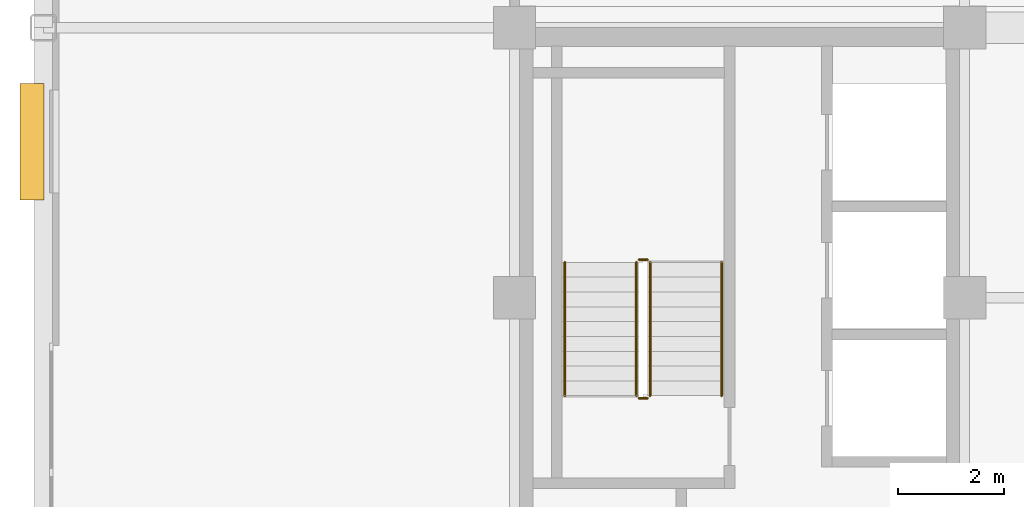
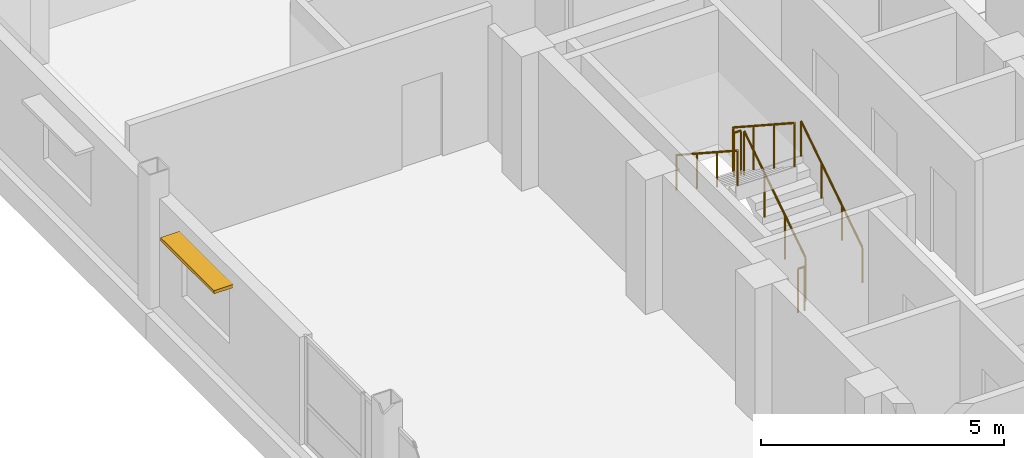
# One storey, part 13 of 16: 6 railings, 1 shading device.
"""IFC4 building model written with IfcOpenShell, lengths in metres."""

from ifc_helpers import new_model, si_unit, direction, frame, origin, origin_2d, place, context, subcontext, project, spatial, rectangle, circle, extrude, source, transform, mapped, material, type_object, type_shapes, element, save


model = new_model("IFC4")

# Units and contexts
model_context = context("Model", 3, precision=1e-05, world=origin(), true_north=direction((0.0, 1.0)))
body_context = subcontext(model_context, "Body", "Model", "MODEL_VIEW")
ifc_project = project(units=[si_unit("LENGTHUNIT", "METRE"), si_unit("AREAUNIT", "SQUARE_METRE"), si_unit("VOLUMEUNIT", "CUBIC_METRE"), si_unit("PLANEANGLEUNIT", "RADIAN"), si_unit("MASSUNIT", "GRAM", prefix="KILO")], contexts=[model_context])

# Site, building, storey
site_placement = place(None, origin())
site = spatial("IfcSite", under=ifc_project, at=site_placement, CompositionType="ELEMENT")
building_placement = place(site_placement, origin())
building = spatial("IfcBuilding", under=site, at=building_placement, Name="Nuvemarco Arch Tower", CompositionType="ELEMENT")
storey_placement = place(building_placement, frame((0.0, 0.0, 227.39990234375)))
storey = spatial("IfcBuildingStorey", under=building, at=storey_placement, Name="L60", CompositionType="ELEMENT", Elevation=227.39990234375)

# Railings
ifc_material_1 = material(Name="Brushed stainless steel handrail", Category="steel")
railing_type_1 = type_object("IfcRailingType", Name="RL-HANDRAIL-900", PredefinedType="HANDRAIL", material=ifc_material_1)
railing_1_placement = place(storey_placement, frame((-13.590087890625, 2.64990234375, 0.1826171875)))
element("IfcRailing", 1, at=railing_1_placement, inside=storey, type_object=railing_type_1, Name="L60 ST-1 stair handrail 1", PredefinedType="HANDRAIL", context=body_context, shape_type="SweptSolid", body=[
    extrude(circle(Radius=0.02392578125, at=origin_2d()), frame((0.0, 0.0, 0.8759765625), z_axis=(0.0, 0.837749427056, 0.546054848405), x_axis=(-1.0, 0.0, 0.0)), (0.0, 0.0, 1.0), 3.008056640625),
    extrude(circle(Radius=0.02099609375, at=origin_2d()), origin(), (0.0, 0.0, 1.0), 0.851806640625),
    extrude(circle(Radius=0.02099609375, at=origin_2d()), frame((0.0, 0.840087890625, 0.547607421875)), (0.0, 0.0, 1.0), 0.851806640625),
    extrude(circle(Radius=0.02099609375, at=origin_2d()), frame((0.0, 1.679931640625, 1.094970703125)), (0.0, 0.0, 1.0), 0.851806640625),
    extrude(circle(Radius=0.02099609375, at=origin_2d()), frame((0.0, 2.52001953125, 1.642578125)), (0.0, 0.0, 1.0), 0.851806640625),
])
railing_2_placement = place(storey_placement, frame((-16.550048828125, 5.169921875, 2.007568359375)))
element("IfcRailing", 2, at=railing_2_placement, inside=storey, type_object=railing_type_1, Name="L60 ST-1 stair handrail 2", PredefinedType="HANDRAIL", context=body_context, shape_type="SweptSolid", body=[
    extrude(circle(Radius=0.02392578125, at=origin_2d()), frame((0.0, 0.0, 0.8759765625), z_axis=(0.0, -0.837749427056, 0.546054848405), x_axis=(1.0, 0.0, 0.0)), (0.0, 0.0, 1.0), 3.008056640625),
    extrude(circle(Radius=0.02099609375, at=origin_2d()), origin(), (0.0, 0.0, 1.0), 0.851806640625),
    extrude(circle(Radius=0.02099609375, at=origin_2d()), frame((0.0, -0.840087890625, 0.547607421875)), (0.0, 0.0, 1.0), 0.851806640625),
    extrude(circle(Radius=0.02099609375, at=origin_2d()), frame((0.0, -1.679931640625, 1.094970703125)), (0.0, 0.0, 1.0), 0.851806640625),
    extrude(circle(Radius=0.02099609375, at=origin_2d()), frame((0.0, -2.52001953125, 1.642578125)), (0.0, 0.0, 1.0), 0.851806640625),
])
ifc_material_2 = material(Name="Painted balustrade steel S355", Category="steel")
railing_type_2 = type_object("IfcRailingType", Name="RL-STAIR-GUARD", PredefinedType="GUARDRAIL", material=ifc_material_2)
railing_3_placement = place(storey_placement, frame((-14.93994140625, 2.64990234375, 0.1826171875)))
element("IfcRailing", 3, at=railing_3_placement, inside=storey, type_object=railing_type_2, Name="L60 ST-1 stair guard 1", PredefinedType="GUARDRAIL", context=body_context, shape_type="SweptSolid", body=[
    extrude(circle(Radius=0.02392578125, at=origin_2d()), frame((0.0, 0.0, 1.09619140625), z_axis=(0.0, 0.837749427056, 0.546054848405), x_axis=(-1.0, 0.0, 0.0)), (0.0, 0.0, 1.0), 3.008056640625),
    extrude(circle(Radius=0.02099609375, at=origin_2d()), origin(), (0.0, 0.0, 1.0), 1.072021484375),
    extrude(circle(Radius=0.02099609375, at=origin_2d()), frame((0.0, 0.840087890625, 0.547607421875)), (0.0, 0.0, 1.0), 1.072021484375),
    extrude(circle(Radius=0.02099609375, at=origin_2d()), frame((0.0, 1.679931640625, 1.094970703125)), (0.0, 0.0, 1.0), 1.072021484375),
    extrude(circle(Radius=0.02099609375, at=origin_2d()), frame((0.0, 2.52001953125, 1.642578125)), (0.0, 0.0, 1.0), 1.072021484375),
])
railing_4_placement = place(storey_placement, frame((-14.989990234375, 5.219970703125, 1.8251953125)))
element("IfcRailing", 4, at=railing_4_placement, inside=storey, type_object=railing_type_2, Name="L60 ST-1 stair guard 2", PredefinedType="GUARDRAIL", context=body_context, shape_type="SweptSolid", body=[
    extrude(circle(Radius=0.02392578125, at=origin_2d()), frame((0.0, 0.0, 1.09619140625), z_axis=(-1.0, 0.0, 0.0), x_axis=(0.0, -1.0, 0.0)), (0.0, 0.0, 1.0), 0.159912109375),
    extrude(circle(Radius=0.02099609375, at=origin_2d()), origin(), (0.0, 0.0, 1.0), 1.072021484375),
    extrude(circle(Radius=0.02099609375, at=origin_2d()), frame((-0.159912109375, 0.0, 0.0)), (0.0, 0.0, 1.0), 1.072021484375),
])
railing_5_placement = place(storey_placement, frame((-15.199951171875, 5.169921875, 2.007568359375)))
element("IfcRailing", 5, at=railing_5_placement, inside=storey, type_object=railing_type_2, Name="L60 ST-1 stair guard 3", PredefinedType="GUARDRAIL", context=body_context, shape_type="SweptSolid", body=[
    extrude(circle(Radius=0.02392578125, at=origin_2d()), frame((0.0, 0.0, 1.09619140625), z_axis=(0.0, -0.837749427056, 0.546054848405), x_axis=(1.0, 0.0, 0.0)), (0.0, 0.0, 1.0), 3.008056640625),
    extrude(circle(Radius=0.02099609375, at=origin_2d()), origin(), (0.0, 0.0, 1.0), 1.072021484375),
    extrude(circle(Radius=0.02099609375, at=origin_2d()), frame((0.0, -0.840087890625, 0.547607421875)), (0.0, 0.0, 1.0), 1.072021484375),
    extrude(circle(Radius=0.02099609375, at=origin_2d()), frame((0.0, -1.679931640625, 1.094970703125)), (0.0, 0.0, 1.0), 1.072021484375),
    extrude(circle(Radius=0.02099609375, at=origin_2d()), frame((0.0, -2.52001953125, 1.642578125)), (0.0, 0.0, 1.0), 1.072021484375),
])
railing_6_placement = place(storey_placement, frame((-14.989990234375, 2.60009765625, 0.0)))
element("IfcRailing", 6, at=railing_6_placement, inside=storey, type_object=railing_type_2, Name="L60 ST-1 stair guard 4", PredefinedType="GUARDRAIL", context=body_context, shape_type="SweptSolid", body=[
    extrude(circle(Radius=0.02392578125, at=origin_2d()), frame((0.0, 0.0, 1.09619140625), z_axis=(-1.0, 0.0, 0.0), x_axis=(0.0, -1.0, 0.0)), (0.0, 0.0, 1.0), 0.159912109375),
    extrude(circle(Radius=0.02099609375, at=origin_2d()), origin(), (0.0, 0.0, 1.0), 1.072021484375),
    extrude(circle(Radius=0.02099609375, at=origin_2d()), frame((-0.159912109375, 0.0, 0.0)), (0.0, 0.0, 1.0), 1.072021484375),
])

# Shading device
ifc_material_3 = material(Name="Anodised aluminium 6063-T6", Category="aluminium")
shading_device_type = type_object("IfcShadingDeviceType", Name="SHD-BRISE-SOLEIL", PredefinedType="USERDEFINED", material=ifc_material_3)
shared_shape = source(origin(), body_context, "Body", "SweptSolid", [
    extrude(rectangle(XDim=2.199951171875, YDim=0.449951171875, at=origin_2d()), origin(), (0.0, 0.0, 1.0), 0.080078125),
])
type_shapes(shading_device_type, [shared_shape])
shading_device_placement = place(storey_placement, frame((-26.614990234375, 7.450927734375, 2.28515625), z_axis=(0.0, 0.0, 1.0), x_axis=(0.0, 1.0, 0.0)))
element("IfcShadingDevice", 7, at=shading_device_placement, inside=storey, type_object=shading_device_type, Name="L60 horizontal brise-soleil sunshade", ObjectType="SUNSHADE", PredefinedType="USERDEFINED", context=body_context, shape_type="MappedRepresentation", body=[
    mapped(shared_shape, transform((0.0, 0.0, 0.0), scale=1.0)),
])

save(model, "model.ifc")
